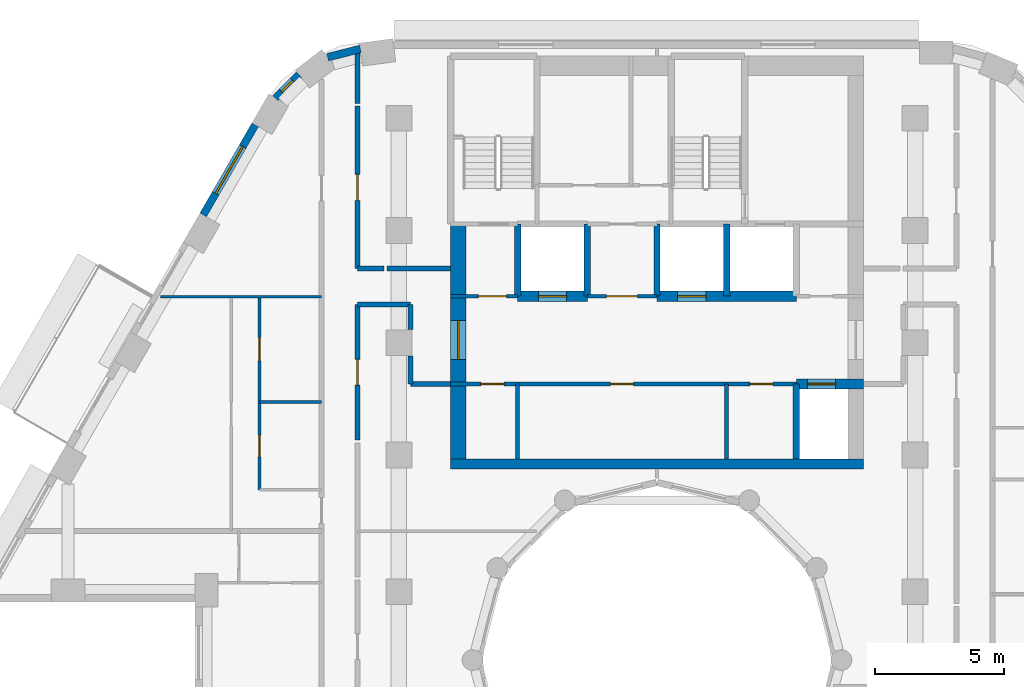
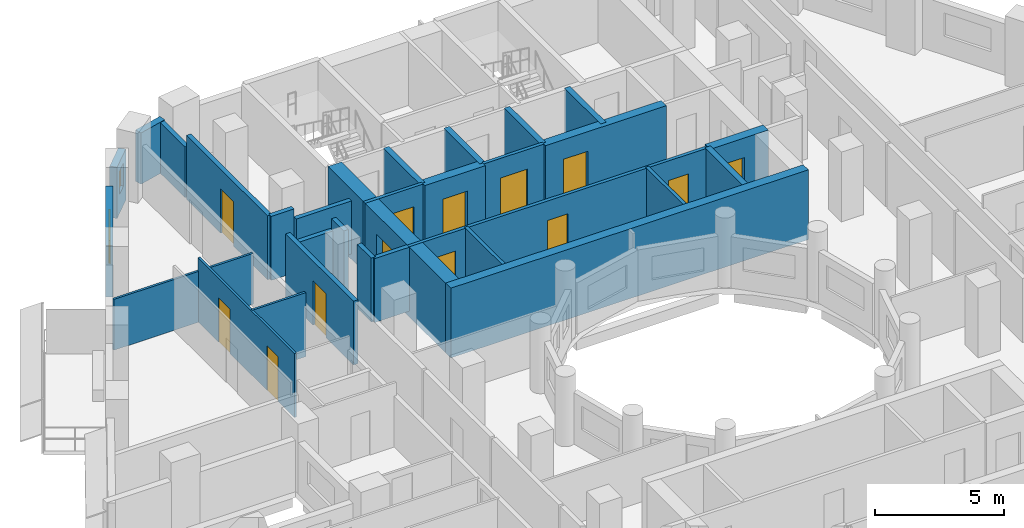
# One storey, part 7 of 13: 30 walls, 13 doors, 2 windows, 15 openings.
"""IFC4 building model written with IfcOpenShell, lengths in metres."""

from ifc_helpers import new_model, si_unit, direction, frame, frame_2d, origin, place, context, subcontext, project, spatial, rectangle, extrude, material, layer, layer_set, type_object, element, fill, save


model = new_model("IFC4")

# Units and contexts
model_context = context("Model", 3, precision=1e-05, world=origin(), true_north=direction((0.0, 1.0)))
body_context = subcontext(model_context, "Body", "Model", "MODEL_VIEW")
ifc_project = project(units=[si_unit("LENGTHUNIT", "METRE"), si_unit("AREAUNIT", "SQUARE_METRE"), si_unit("VOLUMEUNIT", "CUBIC_METRE"), si_unit("PLANEANGLEUNIT", "RADIAN"), si_unit("MASSUNIT", "GRAM", prefix="KILO")], contexts=[model_context])

# Site, building, storey
site_placement = place(None, origin())
site = spatial("IfcSite", under=ifc_project, at=site_placement, CompositionType="ELEMENT")
building_placement = place(site_placement, origin())
building = spatial("IfcBuilding", under=site, at=building_placement, Name="Nakaniwa Court", CompositionType="ELEMENT")
storey_placement = place(building_placement, frame((0.0, 0.0, 156.89990234375)))
storey = spatial("IfcBuildingStorey", under=building, at=storey_placement, Name="L41", CompositionType="ELEMENT", Elevation=156.89990234375)

# Walls
ifc_material_1 = material(Name="Acoustic double stud partition")
ifc_layer_1 = layer(ifc_material_1, 0.199951171875)
ifc_layer_set_1 = layer_set([ifc_layer_1], Name="Acoustic double stud partition")
wall_type_1 = type_object("IfcWallType", Name="Acoustic double stud partition 200", PredefinedType="PARTITIONING", material=ifc_layer_set_1)
wall_1_placement = place(storey_placement, frame((68.39990234375, 93.77490234375, 0.0), z_axis=(0.0, 0.0, 1.0), x_axis=(1.0, 0.0, 0.0)))
element("IfcWall", 1, at=wall_1_placement, inside=storey, type_object=wall_type_1, Name="Partition PW-089", PredefinedType="PARTITIONING", context=body_context, shape_type="SweptSolid", body=[
    extrude(rectangle(XDim=2.050048828125, YDim=0.199951171875, at=frame_2d((1.02490234375, 0.0))), origin(), (0.0, 0.0, 1.0), 2.505126953125),
])
wall_2_placement = place(storey_placement, frame((70.449951171875, 90.699951171875, 0.0), z_axis=(0.0, 0.0, 1.0), x_axis=(1.0, 0.0, 0.0)))
element("IfcWall", 2, at=wall_2_placement, inside=storey, type_object=wall_type_1, Name="Partition PW-091", PredefinedType="PARTITIONING", context=body_context, shape_type="SweptSolid", body=[
    extrude(rectangle(XDim=1.550048828125, YDim=0.199951171875, at=frame_2d((0.77490234375, 0.0))), origin(), (0.0, 0.0, 1.0), 3.025146484375),
])
wall_3_placement = place(storey_placement, frame((68.39990234375, 95.175048828125, 0.0), z_axis=(0.0, 0.0, 1.0), x_axis=(1.0, 0.0, 0.0)))
element("IfcWall", 3, at=wall_3_placement, inside=storey, type_object=wall_type_1, Name="Partition PW-093", PredefinedType="PARTITIONING", context=body_context, shape_type="SweptSolid", body=[
    extrude(rectangle(XDim=1.02294921875, YDim=0.199951171875, at=frame_2d((0.511474609375, 0.0))), origin(), (0.0, 0.0, 1.0), 3.025146484375),
])
wall_4_placement = place(storey_placement, frame((69.537109375, 95.175048828125, 0.0), z_axis=(0.0, 0.0, 1.0), x_axis=(1.0, 0.0, 0.0)))
element("IfcWall", 4, at=wall_4_placement, inside=storey, type_object=wall_type_1, Name="Partition PW-094", PredefinedType="PARTITIONING", context=body_context, shape_type="SweptSolid", body=[
    extrude(rectangle(XDim=2.462890625, YDim=0.199951171875, at=frame_2d((1.2314453125, 0.0))), origin(), (0.0, 0.0, 1.0), 2.505126953125),
])

# Wall, opening, door
wall_5_placement = place(storey_placement, frame((68.39990234375, 93.77490234375, 0.0), z_axis=(0.0, 0.0, 1.0), x_axis=(0.0, -1.0, 0.0)))
wall_5 = element("IfcWall", 5, at=wall_5_placement, inside=storey, type_object=wall_type_1, Name="Partition PW-103", PredefinedType="PARTITIONING", context=body_context, shape_type="SweptSolid", body=[
    extrude(rectangle(XDim=5.247802734375, YDim=0.199951171875, at=frame_2d((2.6240234375, 0.0))), origin(), (0.0, 0.0, 1.0), 3.025146484375),
])
opening_1_placement = place(wall_5_placement, frame((2.123046875, 0.0, 0.0)))
opening_1 = element("IfcOpeningElement", 6, at=opening_1_placement, cuts=wall_5, Name="Opening D-02-09", PredefinedType="OPENING", context=body_context, shape_type="SweptSolid", body=[
    extrude(rectangle(XDim=1.0, YDim=2.10009765625, at=frame_2d((0.5, 1.050048828125))), frame((0.0, 0.10986328125, 0.0), z_axis=(0.0, -1.0, 0.0), x_axis=(1.0, 0.0, 0.0)), (0.0, 0.0, 1.0), 0.219970703125),
])
ifc_material_2 = material(Name="Solid core timber door set, black veneer", Category="wood")
door_type_1 = type_object("IfcDoorType", Name="Internal door 1000", OperationType="NOTDEFINED", PredefinedType="DOOR", material=ifc_material_2)
door_1_placement = place(opening_1_placement, origin())
door_1 = element("IfcDoor", 7, at=door_1_placement, inside=storey, type_object=door_type_1, Name="Door D-02-09 L41-040", OperationType="SINGLE_SWING_LEFT", OverallHeight=2.10009765625, OverallWidth=1.0, PredefinedType="DOOR", context=body_context, shape_type="SweptSolid", body=[
    extrude(rectangle(XDim=1.0, YDim=2.10009765625, at=frame_2d((0.5, 1.050048828125))), frame((0.0, 0.02490234375, 0.0), z_axis=(0.0, -1.0, 0.0), x_axis=(1.0, 0.0, 0.0)), (0.0, 0.0, 1.0), 0.050048828125),
])
fill(opening_1, door_1)

wall_6_placement = place(storey_placement, frame((68.39990234375, 101.462890625, 0.0), z_axis=(0.0, 0.0, 1.0), x_axis=(0.0, -1.0, 0.0)))
wall_6 = element("IfcWall", 8, at=wall_6_placement, inside=storey, type_object=wall_type_1, Name="Partition PW-104", PredefinedType="PARTITIONING", context=body_context, shape_type="SweptSolid", body=[
    extrude(rectangle(XDim=6.287841796875, YDim=0.199951171875, at=frame_2d((3.14404296875, 0.0))), origin(), (0.0, 0.0, 1.0), 3.025146484375),
])
opening_2_placement = place(wall_6_placement, frame((2.64501953125, 0.0, 0.0)))
opening_2 = element("IfcOpeningElement", 9, at=opening_2_placement, cuts=wall_6, Name="Opening D-02-10", PredefinedType="OPENING", context=body_context, shape_type="SweptSolid", body=[
    extrude(rectangle(XDim=1.0, YDim=2.10009765625, at=frame_2d((0.5, 1.050048828125))), frame((0.0, 0.10986328125, 0.0), z_axis=(0.0, -1.0, 0.0), x_axis=(1.0, 0.0, 0.0)), (0.0, 0.0, 1.0), 0.219970703125),
])
door_2_placement = place(opening_2_placement, origin())
door_2 = element("IfcDoor", 10, at=door_2_placement, inside=storey, type_object=door_type_1, Name="Door D-02-10 L41-045", OperationType="SINGLE_SWING_RIGHT", OverallHeight=2.10009765625, OverallWidth=1.0, PredefinedType="DOOR", context=body_context, shape_type="SweptSolid", body=[
    extrude(rectangle(XDim=1.0, YDim=2.10009765625, at=frame_2d((0.5, 1.050048828125))), frame((0.0, 0.02490234375, 0.0), z_axis=(0.0, -1.0, 0.0), x_axis=(1.0, 0.0, 0.0)), (0.0, 0.0, 1.0), 0.050048828125),
])
fill(opening_2, door_2)

# Walls
wall_7_placement = place(storey_placement, frame((68.39990234375, 101.5771484375, 0.0), z_axis=(0.0, 0.0, 1.0), x_axis=(0.0, 1.0, 0.0)))
element("IfcWall", 11, at=wall_7_placement, inside=storey, type_object=wall_type_1, Name="Partition PW-105", PredefinedType="PARTITIONING", context=body_context, shape_type="SweptSolid", body=[
    extrude(rectangle(XDim=2.02197265625, YDim=0.199951171875, at=frame_2d((1.010986328125, 0.0))), origin(), (0.0, 0.0, 1.0), 2.405029296875),
])
wall_8_placement = place(storey_placement, frame((70.449951171875, 90.699951171875, 0.0), z_axis=(0.0, 0.0, 1.0), x_axis=(0.0, 1.0, 0.0)))
element("IfcWall", 12, at=wall_8_placement, inside=storey, type_object=wall_type_1, Name="Partition PW-109", PredefinedType="PARTITIONING", context=body_context, shape_type="SweptSolid", body=[
    extrude(rectangle(XDim=1.082763671875, YDim=0.199951171875, at=frame_2d((0.54150390625, 0.0))), origin(), (0.0, 0.0, 1.0), 3.025146484375),
])
wall_9_placement = place(storey_placement, frame((70.449951171875, 92.817138671875, 0.0), z_axis=(0.0, 0.0, 1.0), x_axis=(0.0, 1.0, 0.0)))
element("IfcWall", 13, at=wall_9_placement, inside=storey, type_object=wall_type_1, Name="Partition PW-110", PredefinedType="PARTITIONING", context=body_context, shape_type="SweptSolid", body=[
    extrude(rectangle(XDim=0.957763671875, YDim=0.199951171875, at=frame_2d((0.47900390625, 0.0))), origin(), (0.0, 0.0, 1.0), 3.025146484375),
])
ifc_material_3 = material(Name="Charcoal ceramic cladding")
ifc_layer_2 = layer(ifc_material_3, 0.02, Name="Ceramic cladding")
ifc_material_4 = material(Name="Ventilated air cavity")
ifc_layer_3 = layer(ifc_material_4, 0.04, ventilated=True, Name="Ventilated cavity")
ifc_material_5 = material(Name="Mineral wool insulation")
ifc_layer_4 = layer(ifc_material_5, 0.1, Name="Insulation")
ifc_material_6 = material(Name="Cement bonded sheathing board")
ifc_layer_5 = layer(ifc_material_6, 0.012, Name="Sheathing")
ifc_material_7 = material(Name="Cold-formed galvanised stud frame with mineral wool infill")
ifc_layer_6 = layer(ifc_material_7, 0.1, Name="Stud frame")
ifc_material_8 = material(Name="Fire-rated gypsum plasterboard lining")
ifc_layer_7 = layer(ifc_material_8, 0.028, Name="Lining")
ifc_layer_set_2 = layer_set([ifc_layer_2, ifc_layer_3, ifc_layer_4, ifc_layer_5, ifc_layer_6, ifc_layer_7], Name="Charcoal ceramic faced external wall system")
wall_type_2 = type_object("IfcWallType", Name="Black ceramic faced external wall 300", PredefinedType="SOLIDWALL", material=ifc_layer_set_2)
wall_10_placement = place(storey_placement, frame((68.506103515625, 103.68310546875, 0.0), z_axis=(0.0, 0.0, 1.0), x_axis=(-0.96924493129, -0.246098076322, 0.0)))
element("IfcWall", 14, at=wall_10_placement, inside=storey, type_object=wall_type_2, Name="L41 external wall 09", PredefinedType="SOLIDWALL", context=body_context, shape_type="SweptSolid", body=[
    extrude(rectangle(XDim=1.305419921875, YDim=0.300048828125, at=frame_2d((0.65283203125, 0.0))), origin(), (0.0, 0.0, 1.0), 2.425048828125),
])

# Wall, opening, window
wall_11_placement = place(storey_placement, frame((66.12890625, 102.68798828125, 0.0), z_axis=(0.0, 0.0, 1.0), x_axis=(-0.70881270082, -0.705396735997, 0.0)))
wall_11 = element("IfcWall", 15, at=wall_11_placement, inside=storey, type_object=wall_type_2, Name="L41 external wall 10", PredefinedType="SOLIDWALL", context=body_context, shape_type="SweptSolid", body=[
    extrude(rectangle(XDim=1.286376953125, YDim=0.300048828125, at=frame_2d((0.64306640625, 0.0))), origin(), (0.0, 0.0, 1.0), 2.425048828125),
])
opening_3_placement = place(wall_11_placement, frame((0.3330078125, 0.0, 0.89990234375)))
opening_3 = element("IfcOpeningElement", 16, at=opening_3_placement, cuts=wall_11, Name="Opening W8.10", PredefinedType="OPENING", context=body_context, shape_type="SweptSolid", body=[
    extrude(rectangle(XDim=0.60009765625, YDim=1.10009765625, at=frame_2d((0.300048828125, 0.550048828125))), frame((0.0, 0.159912109375, 0.0), z_axis=(0.0, -1.0, 0.0), x_axis=(1.0, 0.0, 0.0)), (0.0, 0.0, 1.0), 0.320068359375),
])
ifc_material_9 = material(Name="Black anodised aluminium frame with dark low-E laminated double glazing", Category="aluminium")
window_type_1 = type_object("IfcWindowType", Name="Dark glass window 600x1100 sill 900", PartitioningType="SINGLE_PANEL", PredefinedType="WINDOW", material=ifc_material_9)
window_1_placement = place(opening_3_placement, origin())
window_1 = element("IfcWindow", 17, at=window_1_placement, inside=storey, type_object=window_type_1, Name="L41 habitable room window 10-0", OverallHeight=1.10009765625, OverallWidth=0.60009765625, PartitioningType="SINGLE_PANEL", PredefinedType="WINDOW", context=body_context, shape_type="SweptSolid", body=[
    extrude(rectangle(XDim=0.60009765625, YDim=1.10009765625, at=frame_2d((0.300048828125, 0.550048828125))), frame((0.0, 0.030029296875, 0.0), z_axis=(0.0, -1.0, 0.0), x_axis=(1.0, 0.0, 0.0)), (0.0, 0.0, 1.0), 0.06005859375),
])
fill(opening_3, window_1)

wall_12_placement = place(storey_placement, frame((64.434814453125, 100.739990234375, 0.0), z_axis=(0.0, 0.0, 1.0), x_axis=(-0.500031546601, -0.86600718958, 0.0)))
wall_12 = element("IfcWall", 18, at=wall_12_placement, inside=storey, type_object=wall_type_2, Name="L41 external wall 11", PredefinedType="SOLIDWALL", context=body_context, shape_type="SweptSolid", body=[
    extrude(rectangle(XDim=4.033935546875, YDim=0.300048828125, at=frame_2d((2.01708984375, 0.0))), origin(), (0.0, 0.0, 1.0), 2.425048828125),
])
opening_4_placement = place(wall_12_placement, frame((0.967041015625, 0.0, 0.89990234375)))
opening_4 = element("IfcOpeningElement", 19, at=opening_4_placement, cuts=wall_12, Name="Opening W7.11", PredefinedType="OPENING", context=body_context, shape_type="SweptSolid", body=[
    extrude(rectangle(XDim=2.10009765625, YDim=1.10009765625, at=frame_2d((1.050048828125, 0.550048828125))), frame((0.0, 0.159912109375, 0.0), z_axis=(0.0, -1.0, 0.0), x_axis=(1.0, 0.0, 0.0)), (0.0, 0.0, 1.0), 0.320068359375),
])
window_type_2 = type_object("IfcWindowType", Name="Dark glass window 2100x1100 sill 900", PartitioningType="SINGLE_PANEL", PredefinedType="WINDOW", material=ifc_material_9)
window_2_placement = place(opening_4_placement, origin())
window_2 = element("IfcWindow", 20, at=window_2_placement, inside=storey, type_object=window_type_2, Name="L41 habitable room window 11-0", OverallHeight=1.10009765625, OverallWidth=2.10009765625, PartitioningType="SINGLE_PANEL", PredefinedType="WINDOW", context=body_context, shape_type="SweptSolid", body=[
    extrude(rectangle(XDim=2.10009765625, YDim=1.10009765625, at=frame_2d((1.050048828125, 0.550048828125))), frame((0.0, 0.030029296875, 0.0), z_axis=(0.0, -1.0, 0.0), x_axis=(1.0, 0.0, 0.0)), (0.0, 0.0, 1.0), 0.06005859375),
])
fill(opening_4, window_2)

# Wall
ifc_material_10 = material(Name="Blockwork partition", Category="masonry")
ifc_layer_8 = layer(ifc_material_10, 0.14990234375)
ifc_layer_set_3 = layer_set([ifc_layer_8], Name="Blockwork partition")
wall_type_3 = type_object("IfcWallType", Name="Blockwork partition 150", PredefinedType="PARTITIONING", material=ifc_layer_set_3)
wall_13_placement = place(storey_placement, frame((74.60009765625, 87.800048828125, 0.0), z_axis=(0.0, 0.0, 1.0), x_axis=(0.0, 1.0, 0.0)))
element("IfcWall", 21, at=wall_13_placement, inside=storey, type_object=wall_type_3, Name="Partition PW-001", PredefinedType="PARTITIONING", context=body_context, shape_type="SweptSolid", body=[
    extrude(rectangle(XDim=2.89990234375, YDim=0.14990234375, at=frame_2d((1.449951171875, 0.0))), origin(), (0.0, 0.0, 1.0), 3.025146484375),
])

# Wall, openings, doors
wall_14_placement = place(storey_placement, frame((85.39990234375, 90.699951171875, 0.0), z_axis=(0.0, 0.0, 1.0), x_axis=(-1.0, 0.0, 0.0)))
wall_14 = element("IfcWall", 22, at=wall_14_placement, inside=storey, type_object=wall_type_3, Name="Partition PW-002", PredefinedType="PARTITIONING", context=body_context, shape_type="SweptSolid", body=[
    extrude(rectangle(XDim=13.39990234375, YDim=0.14990234375, at=frame_2d((6.699951171875, 0.0))), origin(), (0.0, 0.0, 1.0), 3.025146484375),
])
opening_5_placement = place(wall_14_placement, frame((11.324951171875, 0.0, 0.0)))
opening_5 = element("IfcOpeningElement", 23, at=opening_5_placement, cuts=wall_14, Name="Opening D-05-01", PredefinedType="OPENING", context=body_context, shape_type="SweptSolid", body=[
    extrude(rectangle(XDim=0.89990234375, YDim=2.10009765625, at=frame_2d((0.449951171875, 1.050048828125))), frame((0.0, 0.0849609375, 0.0), z_axis=(0.0, -1.0, 0.0), x_axis=(1.0, 0.0, 0.0)), (0.0, 0.0, 1.0), 0.169921875),
])
opening_6_placement = place(wall_14_placement, frame((6.300048828125, 0.0, 0.0)))
opening_6 = element("IfcOpeningElement", 24, at=opening_6_placement, cuts=wall_14, Name="Opening D-05-02", PredefinedType="OPENING", context=body_context, shape_type="SweptSolid", body=[
    extrude(rectangle(XDim=0.89990234375, YDim=2.10009765625, at=frame_2d((0.449951171875, 1.050048828125))), frame((0.0, 0.0849609375, 0.0), z_axis=(0.0, -1.0, 0.0), x_axis=(1.0, 0.0, 0.0)), (0.0, 0.0, 1.0), 0.169921875),
])
opening_7_placement = place(wall_14_placement, frame((0.89990234375, 0.0, 0.0)))
opening_7 = element("IfcOpeningElement", 25, at=opening_7_placement, cuts=wall_14, Name="Opening D-05-03", PredefinedType="OPENING", context=body_context, shape_type="SweptSolid", body=[
    extrude(rectangle(XDim=0.89990234375, YDim=2.10009765625, at=frame_2d((0.449951171875, 1.050048828125))), frame((0.0, 0.0849609375, 0.0), z_axis=(0.0, -1.0, 0.0), x_axis=(1.0, 0.0, 0.0)), (0.0, 0.0, 1.0), 0.169921875),
])
ifc_material_11 = material(Name="Fire rated steel door set", Category="steel")
door_type_2 = type_object("IfcDoorType", Name="Service room door 900", OperationType="NOTDEFINED", PredefinedType="DOOR", material=ifc_material_11)
door_3_placement = place(opening_5_placement, origin())
door_3 = element("IfcDoor", 26, at=door_3_placement, inside=storey, type_object=door_type_2, Name="Door D-05-01 L41-001", OperationType="SINGLE_SWING_RIGHT", OverallHeight=2.10009765625, OverallWidth=0.89990234375, PredefinedType="DOOR", context=body_context, shape_type="SweptSolid", body=[
    extrude(rectangle(XDim=0.89990234375, YDim=2.10009765625, at=frame_2d((0.449951171875, 1.050048828125))), frame((0.0, 0.02490234375, 0.0), z_axis=(0.0, -1.0, 0.0), x_axis=(1.0, 0.0, 0.0)), (0.0, 0.0, 1.0), 0.050048828125),
])
fill(opening_5, door_3)
door_4_placement = place(opening_6_placement, origin())
door_4 = element("IfcDoor", 27, at=door_4_placement, inside=storey, type_object=door_type_2, Name="Door D-05-02 L41-002", OperationType="SINGLE_SWING_LEFT", OverallHeight=2.10009765625, OverallWidth=0.89990234375, PredefinedType="DOOR", context=body_context, shape_type="SweptSolid", body=[
    extrude(rectangle(XDim=0.89990234375, YDim=2.10009765625, at=frame_2d((0.449951171875, 1.050048828125))), frame((0.0, 0.02490234375, 0.0), z_axis=(0.0, -1.0, 0.0), x_axis=(1.0, 0.0, 0.0)), (0.0, 0.0, 1.0), 0.050048828125),
])
fill(opening_6, door_4)
door_5_placement = place(opening_7_placement, origin())
door_5 = element("IfcDoor", 28, at=door_5_placement, inside=storey, type_object=door_type_2, Name="Door D-05-03 L41-003", OperationType="SINGLE_SWING_RIGHT", OverallHeight=2.10009765625, OverallWidth=0.89990234375, PredefinedType="DOOR", context=body_context, shape_type="SweptSolid", body=[
    extrude(rectangle(XDim=0.89990234375, YDim=2.10009765625, at=frame_2d((0.449951171875, 1.050048828125))), frame((0.0, 0.02490234375, 0.0), z_axis=(0.0, -1.0, 0.0), x_axis=(1.0, 0.0, 0.0)), (0.0, 0.0, 1.0), 0.050048828125),
])
fill(opening_7, door_5)

# Wall
wall_15_placement = place(storey_placement, frame((82.699951171875, 87.800048828125, 0.0), z_axis=(0.0, 0.0, 1.0), x_axis=(0.0, 1.0, 0.0)))
element("IfcWall", 29, at=wall_15_placement, inside=storey, type_object=wall_type_3, Name="Partition PW-008", PredefinedType="PARTITIONING", context=body_context, shape_type="SweptSolid", body=[
    extrude(rectangle(XDim=2.89990234375, YDim=0.14990234375, at=frame_2d((1.449951171875, 0.0))), origin(), (0.0, 0.0, 1.0), 3.025146484375),
])

# Wall, opening, door
wall_16_placement = place(storey_placement, frame((72.0, 94.10009765625, 0.0), z_axis=(0.0, 0.0, 1.0), x_axis=(1.0, 0.0, 0.0)))
wall_16 = element("IfcWall", 30, at=wall_16_placement, inside=storey, type_object=wall_type_3, Name="Partition PW-009", PredefinedType="PARTITIONING", context=body_context, shape_type="SweptSolid", body=[
    extrude(rectangle(XDim=2.60302734375, YDim=0.14990234375, at=frame_2d((1.301513671875, 0.0))), origin(), (0.0, 0.0, 1.0), 3.025146484375),
])
opening_8_placement = place(wall_16_placement, frame((1.074951171875, 0.0, 0.0)))
opening_8 = element("IfcOpeningElement", 31, at=opening_8_placement, cuts=wall_16, Name="Opening D-08-01", PredefinedType="OPENING", context=body_context, shape_type="SweptSolid", body=[
    extrude(rectangle(XDim=1.10009765625, YDim=2.10009765625, at=frame_2d((0.550048828125, 1.050048828125))), frame((0.0, 0.0849609375, 0.0), z_axis=(0.0, -1.0, 0.0), x_axis=(1.0, 0.0, 0.0)), (0.0, 0.0, 1.0), 0.169921875),
])
door_type_3 = type_object("IfcDoorType", Name="Stair lobby door 1100", OperationType="NOTDEFINED", PredefinedType="DOOR", material=ifc_material_11)
door_6_placement = place(opening_8_placement, origin())
door_6 = element("IfcDoor", 32, at=door_6_placement, inside=storey, type_object=door_type_3, Name="Door D-08-01 L41-004", OperationType="SINGLE_SWING_LEFT", OverallHeight=2.10009765625, OverallWidth=1.10009765625, PredefinedType="DOOR", context=body_context, shape_type="SweptSolid", body=[
    extrude(rectangle(XDim=1.10009765625, YDim=2.10009765625, at=frame_2d((0.550048828125, 1.050048828125))), frame((0.0, 0.02490234375, 0.0), z_axis=(0.0, -1.0, 0.0), x_axis=(1.0, 0.0, 0.0)), (0.0, 0.0, 1.0), 0.050048828125),
])
fill(opening_8, door_6)

wall_17_placement = place(storey_placement, frame((77.297119140625, 94.10009765625, 0.0), z_axis=(0.0, 0.0, 1.0), x_axis=(1.0, 0.0, 0.0)))
wall_17 = element("IfcWall", 33, at=wall_17_placement, inside=storey, type_object=wall_type_3, Name="Partition PW-010", PredefinedType="PARTITIONING", context=body_context, shape_type="SweptSolid", body=[
    extrude(rectangle(XDim=2.705810546875, YDim=0.14990234375, at=frame_2d((1.35302734375, 0.0))), origin(), (0.0, 0.0, 1.0), 3.025146484375),
])
opening_9_placement = place(wall_17_placement, frame((0.7529296875, 0.0, 0.0)))
opening_9 = element("IfcOpeningElement", 34, at=opening_9_placement, cuts=wall_17, Name="Opening D-06-01", PredefinedType="OPENING", context=body_context, shape_type="SweptSolid", body=[
    extrude(rectangle(XDim=1.199951171875, YDim=2.10009765625, at=frame_2d((0.60009765625, 1.050048828125))), frame((0.0, 0.0849609375, 0.0), z_axis=(0.0, -1.0, 0.0), x_axis=(1.0, 0.0, 0.0)), (0.0, 0.0, 1.0), 0.169921875),
])
ifc_material_12 = material(Name="Fire rated steel double door set", Category="steel")
door_type_4 = type_object("IfcDoorType", Name="Service passage double door 1200", OperationType="NOTDEFINED", PredefinedType="DOOR", material=ifc_material_12)
door_7_placement = place(opening_9_placement, origin())
door_7 = element("IfcDoor", 35, at=door_7_placement, inside=storey, type_object=door_type_4, Name="Door D-06-01 L41-005", OperationType="DOUBLE_DOOR_SINGLE_SWING", OverallHeight=2.10009765625, OverallWidth=1.199951171875, PredefinedType="DOOR", context=body_context, shape_type="SweptSolid", body=[
    extrude(rectangle(XDim=1.199951171875, YDim=2.10009765625, at=frame_2d((0.60009765625, 1.050048828125))), frame((0.0, 0.02490234375, 0.0), z_axis=(0.0, -1.0, 0.0), x_axis=(1.0, 0.0, 0.0)), (0.0, 0.0, 1.0), 0.050048828125),
])
fill(opening_9, door_7)

ifc_material_13 = material(Name="Concrete C80/100", Category="concrete")
ifc_layer_9 = layer(ifc_material_13, 0.60009765625)
ifc_layer_set_4 = layer_set([ifc_layer_9], Name="Concrete C80/100")
wall_type_4 = type_object("IfcWallType", Name="Concrete core side wall 600 C80", PredefinedType="SHEAR", material=ifc_layer_set_4)
wall_18_placement = place(storey_placement, frame((72.300048828125, 87.800048828125, -0.27490234375), z_axis=(0.0, 0.0, 1.0), x_axis=(0.0, 1.0, 0.0)))
wall_18 = element("IfcWall", 36, at=wall_18_placement, inside=storey, type_object=wall_type_4, Name="Core wall SW-03", PredefinedType="SHEAR", context=body_context, shape_type="SweptSolid", body=[
    extrude(rectangle(XDim=9.099853515625, YDim=0.60009765625, at=frame_2d((4.5498046875, 0.0))), origin(), (0.0, 0.0, 1.0), 3.300048828125),
])
opening_10_placement = place(wall_18_placement, frame((3.85205078125, 0.0, 0.27490234375)))
opening_10 = element("IfcOpeningElement", 37, at=opening_10_placement, cuts=wall_18, Name="Opening D-07-02", PredefinedType="OPENING", context=body_context, shape_type="SweptSolid", body=[
    extrude(rectangle(XDim=1.5, YDim=2.10009765625, at=frame_2d((0.75, 1.050048828125))), frame((0.0, 0.31005859375, 0.0), z_axis=(0.0, -1.0, 0.0), x_axis=(1.0, 0.0, 0.0)), (0.0, 0.0, 1.0), 0.6201171875),
])
ifc_material_14 = material(Name="Glazed fire rated steel double door set", Category="steel")
door_type_5 = type_object("IfcDoorType", Name="Lobby double door 1500", OperationType="NOTDEFINED", PredefinedType="DOOR", material=ifc_material_14)
door_8_placement = place(opening_10_placement, origin())
door_8 = element("IfcDoor", 38, at=door_8_placement, inside=storey, type_object=door_type_5, Name="Door D-07-02 L41-050", OperationType="DOUBLE_DOOR_SINGLE_SWING", OverallHeight=2.10009765625, OverallWidth=1.5, PredefinedType="DOOR", context=body_context, shape_type="SweptSolid", body=[
    extrude(rectangle(XDim=1.5, YDim=2.10009765625, at=frame_2d((0.75, 1.050048828125))), frame((0.0, 0.02490234375, 0.0), z_axis=(0.0, -1.0, 0.0), x_axis=(1.0, 0.0, 0.0)), (0.0, 0.0, 1.0), 0.050048828125),
])
fill(opening_10, door_8)

ifc_layer_10 = layer(ifc_material_13, 0.39990234375)
ifc_layer_set_5 = layer_set([ifc_layer_10], Name="Concrete C80/100")
wall_type_5 = type_object("IfcWallType", Name="Concrete core spine wall 400 C80", PredefinedType="SHEAR", material=ifc_layer_set_5)
wall_19_placement = place(storey_placement, frame((85.39990234375, 90.699951171875, -0.27490234375), z_axis=(0.0, 0.0, 1.0), x_axis=(1.0, 0.0, 0.0)))
wall_19 = element("IfcWall", 39, at=wall_19_placement, inside=storey, type_object=wall_type_5, Name="Core wall SW-06", PredefinedType="SHEAR", context=body_context, shape_type="SweptSolid", body=[
    extrude(rectangle(XDim=2.60009765625, YDim=0.39990234375, at=frame_2d((1.300048828125, 0.0))), origin(), (0.0, 0.0, 1.0), 3.300048828125),
])
opening_11_placement = place(wall_19_placement, frame((0.425048828125, 0.0, 0.27490234375)))
opening_11 = element("IfcOpeningElement", 40, at=opening_11_placement, cuts=wall_19, Name="Opening LD01", PredefinedType="OPENING", context=body_context, shape_type="SweptSolid", body=[
    extrude(rectangle(XDim=1.10009765625, YDim=2.10009765625, at=frame_2d((0.550048828125, 1.050048828125))), frame((0.0, 0.2099609375, 0.0), z_axis=(0.0, -1.0, 0.0), x_axis=(1.0, 0.0, 0.0)), (0.0, 0.0, 1.0), 0.419921875),
])
ifc_material_15 = material(Name="Stainless steel sliding lift landing door", Category="steel")
door_type_6 = type_object("IfcDoorType", Name="Lift landing door 1100", OperationType="NOTDEFINED", PredefinedType="DOOR", material=ifc_material_15)
door_9_placement = place(opening_11_placement, origin())
door_9 = element("IfcDoor", 41, at=door_9_placement, inside=storey, type_object=door_type_6, Name="Lift landing door LD01 L41-001", OperationType="SLIDING_TO_LEFT", OverallHeight=2.10009765625, OverallWidth=1.10009765625, PredefinedType="DOOR", context=body_context, shape_type="SweptSolid", body=[
    extrude(rectangle(XDim=1.10009765625, YDim=2.10009765625, at=frame_2d((0.550048828125, 1.050048828125))), frame((0.0, 0.02490234375, 0.0), z_axis=(0.0, -1.0, 0.0), x_axis=(1.0, 0.0, 0.0)), (0.0, 0.0, 1.0), 0.050048828125),
])
fill(opening_11, door_9)

wall_20_placement = place(storey_placement, frame((74.596923828125, 94.10009765625, -0.27490234375), z_axis=(0.0, 0.0, 1.0), x_axis=(1.0, 0.0, 0.0)))
wall_20 = element("IfcWall", 42, at=wall_20_placement, inside=storey, type_object=wall_type_5, Name="Core wall SW-12", PredefinedType="SHEAR", context=body_context, shape_type="SweptSolid", body=[
    extrude(rectangle(XDim=2.7060546875, YDim=0.39990234375, at=frame_2d((1.35302734375, 0.0))), origin(), (0.0, 0.0, 1.0), 3.300048828125),
])
opening_12_placement = place(wall_20_placement, frame((0.802978515625, 0.0, 0.27490234375)))
opening_12 = element("IfcOpeningElement", 43, at=opening_12_placement, cuts=wall_20, Name="Opening LD02", PredefinedType="OPENING", context=body_context, shape_type="SweptSolid", body=[
    extrude(rectangle(XDim=1.10009765625, YDim=2.10009765625, at=frame_2d((0.550048828125, 1.050048828125))), frame((0.0, 0.2099609375, 0.0), z_axis=(0.0, -1.0, 0.0), x_axis=(1.0, 0.0, 0.0)), (0.0, 0.0, 1.0), 0.419921875),
])
door_10_placement = place(opening_12_placement, origin())
door_10 = element("IfcDoor", 44, at=door_10_placement, inside=storey, type_object=door_type_6, Name="Lift landing door LD02 L41-002", OperationType="SLIDING_TO_LEFT", OverallHeight=2.10009765625, OverallWidth=1.10009765625, PredefinedType="DOOR", context=body_context, shape_type="SweptSolid", body=[
    extrude(rectangle(XDim=1.10009765625, YDim=2.10009765625, at=frame_2d((0.550048828125, 1.050048828125))), frame((0.0, 0.02490234375, 0.0), z_axis=(0.0, -1.0, 0.0), x_axis=(1.0, 0.0, 0.0)), (0.0, 0.0, 1.0), 0.050048828125),
])
fill(opening_12, door_10)

wall_21_placement = place(storey_placement, frame((79.9970703125, 94.10009765625, -0.27490234375), z_axis=(0.0, 0.0, 1.0), x_axis=(1.0, 0.0, 0.0)))
wall_21 = element("IfcWall", 45, at=wall_21_placement, inside=storey, type_object=wall_type_5, Name="Core wall SW-13", PredefinedType="SHEAR", context=body_context, shape_type="SweptSolid", body=[
    extrude(rectangle(XDim=5.406005859375, YDim=0.39990234375, at=frame_2d((2.703125, 0.0))), origin(), (0.0, 0.0, 1.0), 3.300048828125),
])
opening_13_placement = place(wall_21_placement, frame((0.802978515625, 0.0, 0.27490234375)))
opening_13 = element("IfcOpeningElement", 46, at=opening_13_placement, cuts=wall_21, Name="Opening LD03", PredefinedType="OPENING", context=body_context, shape_type="SweptSolid", body=[
    extrude(rectangle(XDim=1.10009765625, YDim=2.10009765625, at=frame_2d((0.550048828125, 1.050048828125))), frame((0.0, 0.2099609375, 0.0), z_axis=(0.0, -1.0, 0.0), x_axis=(1.0, 0.0, 0.0)), (0.0, 0.0, 1.0), 0.419921875),
])
door_11_placement = place(opening_13_placement, origin())
door_11 = element("IfcDoor", 47, at=door_11_placement, inside=storey, type_object=door_type_6, Name="Lift landing door LD03 L41-003", OperationType="SLIDING_TO_LEFT", OverallHeight=2.10009765625, OverallWidth=1.10009765625, PredefinedType="DOOR", context=body_context, shape_type="SweptSolid", body=[
    extrude(rectangle(XDim=1.10009765625, YDim=2.10009765625, at=frame_2d((0.550048828125, 1.050048828125))), frame((0.0, 0.02490234375, 0.0), z_axis=(0.0, -1.0, 0.0), x_axis=(1.0, 0.0, 0.0)), (0.0, 0.0, 1.0), 0.050048828125),
])
fill(opening_13, door_11)

# Walls
ifc_layer_11 = layer(ifc_material_13, 0.39990234375)
ifc_layer_set_6 = layer_set([ifc_layer_11], Name="Concrete C80/100")
wall_type_6 = type_object("IfcWallType", Name="Concrete core well wall 400 C80", PredefinedType="SHEAR", material=ifc_layer_set_6)
wall_22_placement = place(storey_placement, frame((72.00390625, 87.60009765625, -0.27490234375), z_axis=(0.0, 0.0, 1.0), x_axis=(1.0, 0.0, 0.0)))
element("IfcWall", 48, at=wall_22_placement, inside=storey, type_object=wall_type_6, Name="Core wall SW-134", PredefinedType="SHEAR", context=body_context, shape_type="SweptSolid", body=[
    extrude(rectangle(XDim=15.9921875, YDim=0.39990234375, at=frame_2d((7.99609375, 0.0))), origin(), (0.0, 0.0, 1.0), 3.300048828125),
])
ifc_layer_12 = layer(ifc_material_13, 0.25)
ifc_layer_set_7 = layer_set([ifc_layer_12], Name="Concrete C80/100")
wall_type_7 = type_object("IfcWallType", Name="Concrete shaft wall 250 C80", PredefinedType="SHEAR", material=ifc_layer_set_7)
wall_23_placement = place(storey_placement, frame((85.39990234375, 87.800048828125, -0.27490234375), z_axis=(0.0, 0.0, 1.0), x_axis=(0.0, 1.0, 0.0)))
element("IfcWall", 49, at=wall_23_placement, inside=storey, type_object=wall_type_7, Name="Core wall SW-04", PredefinedType="SHEAR", context=body_context, shape_type="SweptSolid", body=[
    extrude(rectangle(XDim=2.89990234375, YDim=0.25, at=frame_2d((1.449951171875, 0.0))), origin(), (0.0, 0.0, 1.0), 3.300048828125),
])
for number, where, z_axis, x_axis, name in (
    (50, (74.60009765625, 94.10009765625, -0.27490234375), (0.0, 0.0, 1.0), (0.0, 1.0, 0.0), "Core wall SW-14"),
    (51, (77.300048828125, 94.10009765625, -0.27490234375), (0.0, 0.0, 1.0), (0.0, 1.0, 0.0), "Core wall SW-16"),
    (52, (80.0, 94.10009765625, -0.27490234375), (0.0, 0.0, 1.0), (0.0, 1.0, 0.0), "Core wall SW-19"),
    (53, (82.699951171875, 94.10009765625, -0.27490234375), (0.0, 0.0, 1.0), (0.0, 1.0, 0.0), "Core wall SW-21"),
):
    element("IfcWall", number, at=place(storey_placement, frame(where, z_axis=z_axis, x_axis=x_axis)), inside=storey, type_object=wall_type_7, Name=name, PredefinedType="SHEAR", context=body_context, shape_type="SweptSolid", body=[
        extrude(rectangle(XDim=2.7998046875, YDim=0.25, at=frame_2d((1.39990234375, 0.0))), origin(), (0.0, 0.0, 1.0), 3.300048828125),
    ])
ifc_material_16 = material(Name="Single stud plasterboard partition")
ifc_layer_13 = layer(ifc_material_16, 0.10009765625)
ifc_layer_set_8 = layer_set([ifc_layer_13], Name="Single stud plasterboard partition")
wall_type_8 = type_object("IfcWallType", Name="Single stud plasterboard partition 100", PredefinedType="PARTITIONING", material=ifc_layer_set_8)
wall_24_placement = place(storey_placement, frame((64.59912109375, 90.0009765625, 0.0), z_axis=(0.0, 0.0, 1.0), x_axis=(1.0, 0.0, 0.0)))
element("IfcWall", 54, at=wall_24_placement, inside=storey, type_object=wall_type_8, Name="Partition PW-129", PredefinedType="PARTITIONING", context=body_context, shape_type="SweptSolid", body=[
    extrude(rectangle(XDim=2.39990234375, YDim=0.10009765625, at=frame_2d((1.199951171875, 0.0))), origin(), (0.0, 0.0, 1.0), 3.025146484375),
])

# Wall, openings, doors
wall_25_placement = place(storey_placement, frame((64.59912109375, 94.083251953125, 0.0), z_axis=(0.0, 0.0, 1.0), x_axis=(0.0, -1.0, 0.0)))
wall_25 = element("IfcWall", 55, at=wall_25_placement, inside=storey, type_object=wall_type_8, Name="Partition PW-130", PredefinedType="PARTITIONING", context=body_context, shape_type="SweptSolid", body=[
    extrude(rectangle(XDim=7.483154296875, YDim=0.10009765625, at=frame_2d((3.74169921875, 0.0))), origin(), (0.0, 0.0, 1.0), 3.025146484375),
])
opening_14_placement = place(wall_25_placement, frame((5.35693359375, 0.0, 0.0)))
opening_14 = element("IfcOpeningElement", 56, at=opening_14_placement, cuts=wall_25, Name="Opening D-03-03", PredefinedType="OPENING", context=body_context, shape_type="SweptSolid", body=[
    extrude(rectangle(XDim=0.85009765625, YDim=2.10009765625, at=frame_2d((0.425048828125, 1.050048828125))), frame((0.0, 0.06005859375, 0.0), z_axis=(0.0, -1.0, 0.0), x_axis=(1.0, 0.0, 0.0)), (0.0, 0.0, 1.0), 0.1201171875),
])
opening_15_placement = place(wall_25_placement, frame((1.591064453125, 0.0, 0.0)))
opening_15 = element("IfcOpeningElement", 57, at=opening_15_placement, cuts=wall_25, Name="Opening D-33-06", PredefinedType="OPENING", context=body_context, shape_type="SweptSolid", body=[
    extrude(rectangle(XDim=0.89990234375, YDim=2.10009765625, at=frame_2d((0.449951171875, 1.050048828125))), frame((0.0, 0.06005859375, 0.0), z_axis=(0.0, -1.0, 0.0), x_axis=(1.0, 0.0, 0.0)), (0.0, 0.0, 1.0), 0.1201171875),
])
ifc_material_17 = material(Name="Moisture sealed timber door set", Category="wood")
door_type_7 = type_object("IfcDoorType", Name="Bathroom door 850", OperationType="NOTDEFINED", PredefinedType="DOOR", material=ifc_material_17)
door_12_placement = place(opening_14_placement, origin())
door_12 = element("IfcDoor", 58, at=door_12_placement, inside=storey, type_object=door_type_7, Name="Door D-03-03 L41-042", OperationType="SINGLE_SWING_LEFT", OverallHeight=2.10009765625, OverallWidth=0.85009765625, PredefinedType="DOOR", context=body_context, shape_type="SweptSolid", body=[
    extrude(rectangle(XDim=0.85009765625, YDim=2.10009765625, at=frame_2d((0.425048828125, 1.050048828125))), frame((0.0, 0.02490234375, 0.0), z_axis=(0.0, -1.0, 0.0), x_axis=(1.0, 0.0, 0.0)), (0.0, 0.0, 1.0), 0.050048828125),
])
fill(opening_14, door_12)
door_type_8 = type_object("IfcDoorType", Name="Internal door 900", OperationType="NOTDEFINED", PredefinedType="DOOR", material=ifc_material_2)
door_13_placement = place(opening_15_placement, origin())
door_13 = element("IfcDoor", 59, at=door_13_placement, inside=storey, type_object=door_type_8, Name="Door D-33-06 L41-043", OperationType="SINGLE_SWING_RIGHT", OverallHeight=2.10009765625, OverallWidth=0.89990234375, PredefinedType="DOOR", context=body_context, shape_type="SweptSolid", body=[
    extrude(rectangle(XDim=0.89990234375, YDim=2.10009765625, at=frame_2d((0.449951171875, 1.050048828125))), frame((0.0, 0.02490234375, 0.0), z_axis=(0.0, -1.0, 0.0), x_axis=(1.0, 0.0, 0.0)), (0.0, 0.0, 1.0), 0.050048828125),
])
fill(opening_15, door_13)

# Wall
wall_26_placement = place(storey_placement, frame((60.764404296875, 94.0830078125, 0.0), z_axis=(0.0, 0.0, 1.0), x_axis=(1.0, 0.0, 0.0)))
element("IfcWall", 60, at=wall_26_placement, inside=storey, type_object=wall_type_8, Name="Partition PW-132", PredefinedType="PARTITIONING", context=body_context, shape_type="SweptSolid", body=[
    extrude(rectangle(XDim=6.234619140625, YDim=0.10009765625, at=frame_2d((3.1171875, 0.0))), origin(), (0.0, 0.0, 1.0), 2.405029296875),
])

save(model, "model.ifc")
